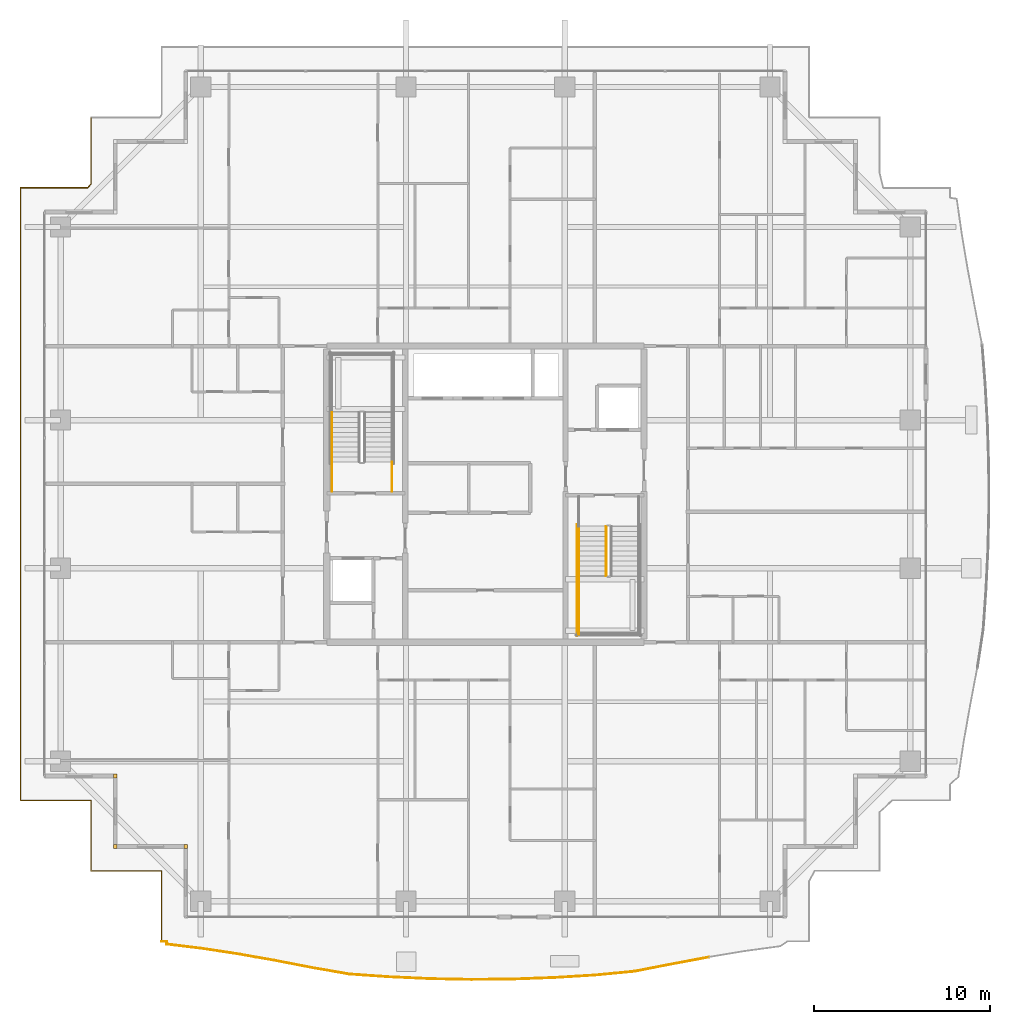
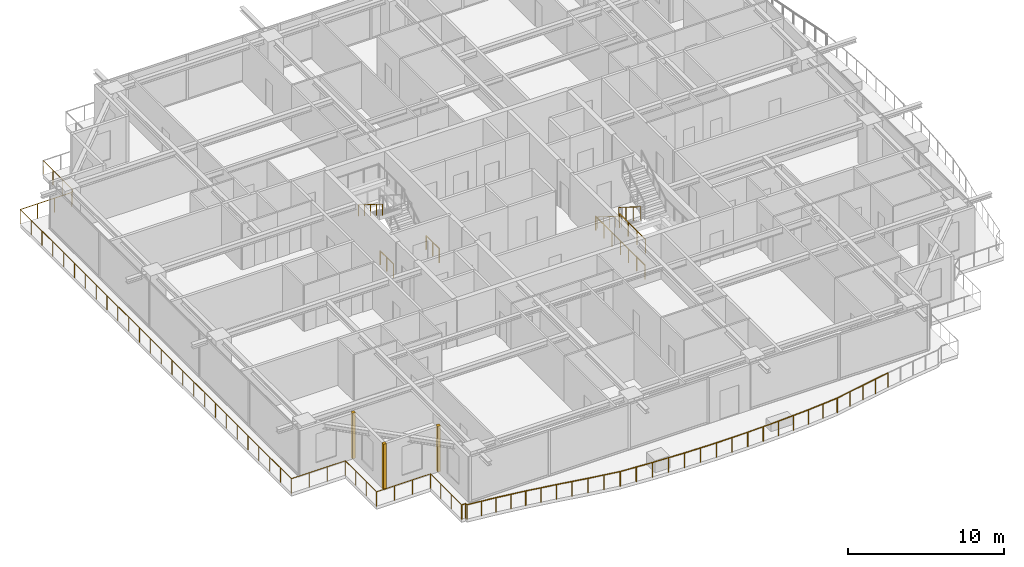
# One storey, part 34 of 38: 10 railings, 3 coverings.
"""IFC4 building model written with IfcOpenShell, lengths in metres."""

from ifc_helpers import new_model, si_unit, direction, frame, origin, origin_2d, place, context, subcontext, project, spatial, rectangle, circle, extrude, source, transform, mapped, material, layer, layer_set, type_object, element, save


model = new_model("IFC4")

# Units and contexts
model_context = context("Model", 3, precision=1e-05, world=origin(), true_north=direction((0.0, 1.0)))
body_context = subcontext(model_context, "Body", "Model", "MODEL_VIEW")
ifc_project = project(units=[si_unit("LENGTHUNIT", "METRE"), si_unit("AREAUNIT", "SQUARE_METRE"), si_unit("VOLUMEUNIT", "CUBIC_METRE"), si_unit("PLANEANGLEUNIT", "RADIAN"), si_unit("MASSUNIT", "GRAM", prefix="KILO")], contexts=[model_context])

# Site, building, storey
site_placement = place(None, origin())
site = spatial("IfcSite", under=ifc_project, at=site_placement, CompositionType="ELEMENT")
building_placement = place(site_placement, origin())
building = spatial("IfcBuilding", under=site, at=building_placement, Name="Serunith Strait Residences", CompositionType="ELEMENT")
storey_placement = place(building_placement, frame((0.0, 0.0, 245.10009765625)))
storey = spatial("IfcBuildingStorey", under=building, at=storey_placement, Name="L61", CompositionType="ELEMENT", Elevation=245.10009765625)

# Railings
ifc_material_1 = material(Name="Stainless Steel & Laminated Glass Balustrade", Category="steel")
railing_type_1 = type_object("IfcRailingType", Name="RLG-BALC-1150", PredefinedType="BALUSTRADE", material=ifc_material_1)
railing_1_placement = place(storey_placement, frame((14.02001953125, -0.179931640625, -0.050048828125)))
element("IfcRailing", 1, at=railing_1_placement, inside=storey, type_object=railing_type_1, Name="L61 Swirling Balcony Perimeter Balustrade 1", PredefinedType="BALUSTRADE", context=body_context, shape_type="SweptSolid", body=[
    extrude(circle(Radius=0.02392578125, at=origin_2d()), frame((0.0, 0.001953125, 1.1259765625), z_axis=(0.0, 1.0, 0.0), x_axis=(-1.0, 0.0, 0.0)), (0.0, 0.0, 1.0), 3.99609375),
    extrude(circle(Radius=0.02392578125, at=origin_2d()), frame((-0.001953125, 4.0, 1.1259765625), z_axis=(-1.0, 0.0, 0.0), x_axis=(0.0, -1.0, 0.0)), (0.0, 0.0, 1.0), 3.99609375),
    extrude(circle(Radius=0.02392578125, at=origin_2d()), frame((-4.0, 4.001953125, 1.1259765625), z_axis=(0.0, 1.0, 0.0), x_axis=(-1.0, 0.0, 0.0)), (0.0, 0.0, 1.0), 3.99609375),
    extrude(circle(Radius=0.02392578125, at=origin_2d()), frame((-4.001953125, 8.0, 1.1259765625), z_axis=(-1.0, 0.0, 0.0), x_axis=(0.0, -1.0, 0.0)), (0.0, 0.0, 1.0), 3.99609375),
    extrude(circle(Radius=0.02392578125, at=origin_2d()), frame((-8.0, 8.001953125, 1.1259765625), z_axis=(0.0, 1.0, 0.0), x_axis=(-1.0, 0.0, 0.0)), (0.0, 0.0, 1.0), 34.756103515625),
    extrude(circle(Radius=0.02392578125, at=origin_2d()), frame((-7.998046875, 42.760009765625, 1.1259765625), z_axis=(1.0, 0.0, 0.0), x_axis=(0.0, 1.0, 0.0)), (0.0, 0.0, 1.0), 3.801025390625),
    extrude(circle(Radius=0.02392578125, at=origin_2d()), frame((-4.19384765625, 42.761474609375, 1.1259765625), z_axis=(0.660199372359, 0.751090399843, 0.0), x_axis=(-0.751090399843, 0.660199372359, 0.0)), (0.0, 0.0, 1.0), 0.29150390625),
    extrude(circle(Radius=0.02392578125, at=origin_2d()), frame((-4.0, 42.98388671875, 1.1259765625), z_axis=(0.0, 1.0, 0.0), x_axis=(-1.0, 0.0, 0.0)), (0.0, 0.0, 1.0), 3.774169921875),
    extrude(circle(Radius=0.02099609375, at=origin_2d()), origin(), (0.0, 0.0, 1.0), 1.099853515625),
    extrude(circle(Radius=0.02099609375, at=origin_2d()), frame((0.0, 1.333251953125, 0.0)), (0.0, 0.0, 1.0), 1.099853515625),
    extrude(circle(Radius=0.02099609375, at=origin_2d()), frame((0.0, 2.666748046875, 0.0)), (0.0, 0.0, 1.0), 1.099853515625),
    extrude(circle(Radius=0.02099609375, at=origin_2d()), frame((0.0, 4.0, 0.0)), (0.0, 0.0, 1.0), 1.099853515625),
    extrude(circle(Radius=0.02099609375, at=origin_2d()), frame((-1.333251953125, 4.0, 0.0)), (0.0, 0.0, 1.0), 1.099853515625),
    extrude(circle(Radius=0.02099609375, at=origin_2d()), frame((-2.666748046875, 4.0, 0.0)), (0.0, 0.0, 1.0), 1.099853515625),
    extrude(circle(Radius=0.02099609375, at=origin_2d()), frame((-4.0, 4.0, 0.0)), (0.0, 0.0, 1.0), 1.099853515625),
    extrude(circle(Radius=0.02099609375, at=origin_2d()), frame((-4.0, 5.333251953125, 0.0)), (0.0, 0.0, 1.0), 1.099853515625),
    extrude(circle(Radius=0.02099609375, at=origin_2d()), frame((-4.0, 6.666748046875, 0.0)), (0.0, 0.0, 1.0), 1.099853515625),
    extrude(circle(Radius=0.02099609375, at=origin_2d()), frame((-4.0, 8.0, 0.0)), (0.0, 0.0, 1.0), 1.099853515625),
    extrude(circle(Radius=0.02099609375, at=origin_2d()), frame((-5.333251953125, 8.0, 0.0)), (0.0, 0.0, 1.0), 1.099853515625),
    extrude(circle(Radius=0.02099609375, at=origin_2d()), frame((-6.666748046875, 8.0, 0.0)), (0.0, 0.0, 1.0), 1.099853515625),
    extrude(circle(Radius=0.02099609375, at=origin_2d()), frame((-8.0, 8.0, 0.0)), (0.0, 0.0, 1.0), 1.099853515625),
    extrude(circle(Radius=0.02099609375, at=origin_2d()), frame((-8.0, 9.390380859375, 0.0)), (0.0, 0.0, 1.0), 1.099853515625),
    extrude(circle(Radius=0.02099609375, at=origin_2d()), frame((-8.0, 10.78076171875, 0.0)), (0.0, 0.0, 1.0), 1.099853515625),
    extrude(circle(Radius=0.02099609375, at=origin_2d()), frame((-8.0, 12.171142578125, 0.0)), (0.0, 0.0, 1.0), 1.099853515625),
    extrude(circle(Radius=0.02099609375, at=origin_2d()), frame((-8.0, 13.5615234375, 0.0)), (0.0, 0.0, 1.0), 1.099853515625),
    extrude(circle(Radius=0.02099609375, at=origin_2d()), frame((-8.0, 14.951904296875, 0.0)), (0.0, 0.0, 1.0), 1.099853515625),
    extrude(circle(Radius=0.02099609375, at=origin_2d()), frame((-8.0, 16.34228515625, 0.0)), (0.0, 0.0, 1.0), 1.099853515625),
    extrude(circle(Radius=0.02099609375, at=origin_2d()), frame((-8.0, 17.73291015625, 0.0)), (0.0, 0.0, 1.0), 1.099853515625),
    extrude(circle(Radius=0.02099609375, at=origin_2d()), frame((-8.0, 19.123291015625, 0.0)), (0.0, 0.0, 1.0), 1.099853515625),
    extrude(circle(Radius=0.02099609375, at=origin_2d()), frame((-8.0, 20.513671875, 0.0)), (0.0, 0.0, 1.0), 1.099853515625),
    extrude(circle(Radius=0.02099609375, at=origin_2d()), frame((-8.0, 21.904052734375, 0.0)), (0.0, 0.0, 1.0), 1.099853515625),
    extrude(circle(Radius=0.02099609375, at=origin_2d()), frame((-8.0, 23.29443359375, 0.0)), (0.0, 0.0, 1.0), 1.099853515625),
    extrude(circle(Radius=0.02099609375, at=origin_2d()), frame((-8.0, 24.684814453125, 0.0)), (0.0, 0.0, 1.0), 1.099853515625),
    extrude(circle(Radius=0.02099609375, at=origin_2d()), frame((-8.0, 26.0751953125, 0.0)), (0.0, 0.0, 1.0), 1.099853515625),
    extrude(circle(Radius=0.02099609375, at=origin_2d()), frame((-8.0, 27.465576171875, 0.0)), (0.0, 0.0, 1.0), 1.099853515625),
    extrude(circle(Radius=0.02099609375, at=origin_2d()), frame((-8.0, 28.85595703125, 0.0)), (0.0, 0.0, 1.0), 1.099853515625),
    extrude(circle(Radius=0.02099609375, at=origin_2d()), frame((-8.0, 30.246337890625, 0.0)), (0.0, 0.0, 1.0), 1.099853515625),
    extrude(circle(Radius=0.02099609375, at=origin_2d()), frame((-8.0, 31.63671875, 0.0)), (0.0, 0.0, 1.0), 1.099853515625),
    extrude(circle(Radius=0.02099609375, at=origin_2d()), frame((-8.0, 33.027099609375, 0.0)), (0.0, 0.0, 1.0), 1.099853515625),
    extrude(circle(Radius=0.02099609375, at=origin_2d()), frame((-8.0, 34.417724609375, 0.0)), (0.0, 0.0, 1.0), 1.099853515625),
    extrude(circle(Radius=0.02099609375, at=origin_2d()), frame((-8.0, 35.80810546875, 0.0)), (0.0, 0.0, 1.0), 1.099853515625),
    extrude(circle(Radius=0.02099609375, at=origin_2d()), frame((-8.0, 37.198486328125, 0.0)), (0.0, 0.0, 1.0), 1.099853515625),
    extrude(circle(Radius=0.02099609375, at=origin_2d()), frame((-8.0, 38.5888671875, 0.0)), (0.0, 0.0, 1.0), 1.099853515625),
    extrude(circle(Radius=0.02099609375, at=origin_2d()), frame((-8.0, 39.979248046875, 0.0)), (0.0, 0.0, 1.0), 1.099853515625),
    extrude(circle(Radius=0.02099609375, at=origin_2d()), frame((-8.0, 41.36962890625, 0.0)), (0.0, 0.0, 1.0), 1.099853515625),
    extrude(circle(Radius=0.02099609375, at=origin_2d()), frame((-8.0, 42.760009765625, 0.0)), (0.0, 0.0, 1.0), 1.099853515625),
    extrude(circle(Radius=0.02099609375, at=origin_2d()), frame((-6.731689453125, 42.760009765625, 0.0)), (0.0, 0.0, 1.0), 1.099853515625),
    extrude(circle(Radius=0.02099609375, at=origin_2d()), frame((-5.46337890625, 42.760009765625, 0.0)), (0.0, 0.0, 1.0), 1.099853515625),
    extrude(circle(Radius=0.02099609375, at=origin_2d()), frame((-4.195068359375, 42.760009765625, 0.0)), (0.0, 0.0, 1.0), 1.099853515625),
    extrude(circle(Radius=0.02099609375, at=origin_2d()), frame((-4.0, 42.98193359375, 0.0)), (0.0, 0.0, 1.0), 1.099853515625),
    extrude(circle(Radius=0.02099609375, at=origin_2d()), frame((-4.0, 44.2412109375, 0.0)), (0.0, 0.0, 1.0), 1.099853515625),
    extrude(circle(Radius=0.02099609375, at=origin_2d()), frame((-4.0, 45.500732421875, 0.0)), (0.0, 0.0, 1.0), 1.099853515625),
    extrude(circle(Radius=0.02099609375, at=origin_2d()), frame((-4.0, 46.760009765625, 0.0)), (0.0, 0.0, 1.0), 1.099853515625),
])
railing_2_placement = place(storey_placement, frame((45.0791015625, -1.070556640625, -0.050048828125)))
element("IfcRailing", 2, at=railing_2_placement, inside=storey, type_object=railing_type_1, Name="L61 Swirling Balcony Perimeter Balustrade 7", PredefinedType="BALUSTRADE", context=body_context, shape_type="SweptSolid", body=[
    extrude(circle(Radius=0.02392578125, at=origin_2d()), frame((-0.001953125, -0.00048828125, 1.1259765625), z_axis=(-0.982945249222, -0.183898442167, 0.0), x_axis=(0.183898442167, -0.982945249222, 0.0)), (0.0, 0.0, 1.0), 2.112060546875),
    extrude(circle(Radius=0.02392578125, at=origin_2d()), frame((-2.08203125, -0.3896484375, 1.1259765625), z_axis=(-0.981496759008, -0.191478750929, 0.0), x_axis=(0.191478750929, -0.981496759008, 0.0)), (0.0, 0.0, 1.0), 2.173828125),
    extrude(circle(Radius=0.02392578125, at=origin_2d()), frame((-4.219482421875, -0.806396484375, 1.1259765625), z_axis=(-0.995375984168, -0.096055453471, 0.0), x_axis=(0.096055453471, -0.995375984168, 0.0)), (0.0, 0.0, 1.0), 2.2607421875),
    extrude(circle(Radius=0.02392578125, at=origin_2d()), frame((-6.4736328125, -1.023681640625, 1.1259765625), z_axis=(-0.998171401112, -0.060447117407, 0.0), x_axis=(0.060447117407, -0.998171401112, 0.0)), (0.0, 0.0, 1.0), 2.30224609375),
    extrude(circle(Radius=0.02392578125, at=origin_2d()), frame((-8.775634765625, -1.1630859375, 1.1259765625), z_axis=(-0.999327546653, -0.036666803787, 0.0), x_axis=(0.036666803787, -0.999327546653, 0.0)), (0.0, 0.0, 1.0), 2.326416015625),
    extrude(circle(Radius=0.02392578125, at=origin_2d()), frame((-11.1044921875, -1.24853515625, 1.1259765625), z_axis=(-0.999953996814, -0.009591884862, 0.0), x_axis=(0.009591884862, -0.999953996814, 0.0)), (0.0, 0.0, 1.0), 2.337646484375),
    extrude(circle(Radius=0.02392578125, at=origin_2d()), frame((-13.446044921875, -1.27099609375, 1.1259765625), z_axis=(-0.999827321395, 0.018582986656, 0.0), x_axis=(-0.018582986656, -0.999827321395, 0.0)), (0.0, 0.0, 1.0), 2.33447265625),
    extrude(circle(Radius=0.02392578125, at=origin_2d()), frame((-15.7841796875, -1.2275390625, 1.1259765625), z_axis=(-0.998976334077, 0.045235870225, 0.0), x_axis=(-0.045235870225, -0.998976334077, 0.0)), (0.0, 0.0, 1.0), 2.316650390625),
    extrude(circle(Radius=0.02099609375, at=origin_2d()), origin(), (0.0, 0.0, 1.0), 1.099853515625),
    extrude(circle(Radius=0.02099609375, at=origin_2d()), frame((-1.0400390625, -0.194580078125, 0.0)), (0.0, 0.0, 1.0), 1.099853515625),
    extrude(circle(Radius=0.02099609375, at=origin_2d()), frame((-2.080078125, -0.38916015625, 0.0)), (0.0, 0.0, 1.0), 1.099853515625),
    extrude(circle(Radius=0.02099609375, at=origin_2d()), frame((-3.14892578125, -0.59765625, 0.0)), (0.0, 0.0, 1.0), 1.099853515625),
    extrude(circle(Radius=0.02099609375, at=origin_2d()), frame((-4.217529296875, -0.80615234375, 0.0)), (0.0, 0.0, 1.0), 1.099853515625),
    extrude(circle(Radius=0.02099609375, at=origin_2d()), frame((-5.3447265625, -0.9150390625, 0.0)), (0.0, 0.0, 1.0), 1.099853515625),
    extrude(circle(Radius=0.02099609375, at=origin_2d()), frame((-6.4716796875, -1.023681640625, 0.0)), (0.0, 0.0, 1.0), 1.099853515625),
    extrude(circle(Radius=0.02099609375, at=origin_2d()), frame((-7.62255859375, -1.09326171875, 0.0)), (0.0, 0.0, 1.0), 1.099853515625),
    extrude(circle(Radius=0.02099609375, at=origin_2d()), frame((-8.773681640625, -1.1630859375, 0.0)), (0.0, 0.0, 1.0), 1.099853515625),
    extrude(circle(Radius=0.02099609375, at=origin_2d()), frame((-9.93798828125, -1.205810546875, 0.0)), (0.0, 0.0, 1.0), 1.099853515625),
    extrude(circle(Radius=0.02099609375, at=origin_2d()), frame((-11.1025390625, -1.24853515625, 0.0)), (0.0, 0.0, 1.0), 1.099853515625),
    extrude(circle(Radius=0.02099609375, at=origin_2d()), frame((-12.2734375, -1.259765625, 0.0)), (0.0, 0.0, 1.0), 1.099853515625),
    extrude(circle(Radius=0.02099609375, at=origin_2d()), frame((-13.444091796875, -1.27099609375, 0.0)), (0.0, 0.0, 1.0), 1.099853515625),
    extrude(circle(Radius=0.02099609375, at=origin_2d()), frame((-14.61328125, -1.249267578125, 0.0)), (0.0, 0.0, 1.0), 1.099853515625),
    extrude(circle(Radius=0.02099609375, at=origin_2d()), frame((-15.7822265625, -1.2275390625, 0.0)), (0.0, 0.0, 1.0), 1.099853515625),
    extrude(circle(Radius=0.02099609375, at=origin_2d()), frame((-16.94140625, -1.175048828125, 0.0)), (0.0, 0.0, 1.0), 1.099853515625),
    extrude(circle(Radius=0.02099609375, at=origin_2d()), frame((-18.1005859375, -1.12255859375, 0.0)), (0.0, 0.0, 1.0), 1.099853515625),
])
railing_3_placement = place(storey_placement, frame((26.978515625, -2.193115234375, -0.050048828125)))
element("IfcRailing", 3, at=railing_3_placement, inside=storey, type_object=railing_type_1, Name="L61 Swirling Balcony Perimeter Balustrade 8", PredefinedType="BALUSTRADE", context=body_context, shape_type="SweptSolid", body=[
    extrude(circle(Radius=0.02392578125, at=origin_2d()), frame((-0.001953125, 0.000244140625, 1.1259765625), z_axis=(-0.997665250853, 0.068293830179, 0.0), x_axis=(-0.068293830179, -0.997665250853, 0.0)), (0.0, 0.0, 1.0), 2.28759765625),
    extrude(circle(Radius=0.02392578125, at=origin_2d()), frame((-2.2880859375, 0.15673828125, 1.1259765625), z_axis=(-0.985372625821, 0.170413580099, 0.0), x_axis=(-0.170413580099, -0.985372625821, 0.0)), (0.0, 0.0, 1.0), 2.20654296875),
    extrude(circle(Radius=0.02392578125, at=origin_2d()), frame((-4.46630859375, 0.53369140625, 1.1259765625), z_axis=(-0.98167532239, 0.190561174984, 0.0), x_axis=(-0.190561174984, -0.98167532239, 0.0)), (0.0, 0.0, 1.0), 2.135498046875),
    extrude(circle(Radius=0.02392578125, at=origin_2d()), frame((-6.566650390625, 0.941162109375, 1.1259765625), z_axis=(-0.984615797337, 0.174733315752, 0.0), x_axis=(-0.174733315752, -0.984615797337, 0.0)), (0.0, 0.0, 1.0), 2.08203125),
    extrude(circle(Radius=0.02392578125, at=origin_2d()), frame((-8.62060546875, 1.3056640625, 1.1259765625), z_axis=(-0.988726719988, 0.149731336673, 0.0), x_axis=(-0.149731336673, -0.988726719988, 0.0)), (0.0, 0.0, 1.0), 2.047119140625),
    extrude(circle(Radius=0.02392578125, at=origin_2d()), frame((-10.648681640625, 1.61279296875, 1.1259765625), z_axis=(-0.992541670722, 0.121905832016, 0.0), x_axis=(-0.121905832016, -0.992541670722, 0.0)), (0.0, 0.0, 1.0), 2.02880859375),
    extrude(circle(Radius=0.02392578125, at=origin_2d()), frame((-12.664306640625, 1.8623046875, 1.1259765625), z_axis=(0.009584224316, 0.999954070267, 0.0), x_axis=(-0.999954070267, 0.009584224316, 0.0)), (0.0, 0.0, 1.0), 0.14892578125),
    extrude(circle(Radius=0.02392578125, at=origin_2d()), frame((-12.664794921875, 2.01318359375, 1.1259765625), z_axis=(-1.0, 0.0, 0.0), x_axis=(0.0, -1.0, 0.0)), (0.0, 0.0, 1.0), 0.291748046875),
    extrude(circle(Radius=0.02099609375, at=origin_2d()), origin(), (0.0, 0.0, 1.0), 1.099853515625),
    extrude(circle(Radius=0.02099609375, at=origin_2d()), frame((-1.14306640625, 0.078125, 0.0)), (0.0, 0.0, 1.0), 1.099853515625),
    extrude(circle(Radius=0.02099609375, at=origin_2d()), frame((-2.2861328125, 0.156494140625, 0.0)), (0.0, 0.0, 1.0), 1.099853515625),
    extrude(circle(Radius=0.02099609375, at=origin_2d()), frame((-3.375244140625, 0.3447265625, 0.0)), (0.0, 0.0, 1.0), 1.099853515625),
    extrude(circle(Radius=0.02099609375, at=origin_2d()), frame((-4.46435546875, 0.533203125, 0.0)), (0.0, 0.0, 1.0), 1.099853515625),
    extrude(circle(Radius=0.02099609375, at=origin_2d()), frame((-5.5146484375, 0.737060546875, 0.0)), (0.0, 0.0, 1.0), 1.099853515625),
    extrude(circle(Radius=0.02099609375, at=origin_2d()), frame((-6.564697265625, 0.94091796875, 0.0)), (0.0, 0.0, 1.0), 1.099853515625),
    extrude(circle(Radius=0.02099609375, at=origin_2d()), frame((-7.591796875, 1.123046875, 0.0)), (0.0, 0.0, 1.0), 1.099853515625),
    extrude(circle(Radius=0.02099609375, at=origin_2d()), frame((-8.61865234375, 1.305419921875, 0.0)), (0.0, 0.0, 1.0), 1.099853515625),
    extrude(circle(Radius=0.02099609375, at=origin_2d()), frame((-9.6328125, 1.458984375, 0.0)), (0.0, 0.0, 1.0), 1.099853515625),
    extrude(circle(Radius=0.02099609375, at=origin_2d()), frame((-10.646728515625, 1.612548828125, 0.0)), (0.0, 0.0, 1.0), 1.099853515625),
    extrude(circle(Radius=0.02099609375, at=origin_2d()), frame((-11.655517578125, 1.736328125, 0.0)), (0.0, 0.0, 1.0), 1.099853515625),
    extrude(circle(Radius=0.02099609375, at=origin_2d()), frame((-12.664306640625, 1.8603515625, 0.0)), (0.0, 0.0, 1.0), 1.099853515625),
    extrude(circle(Radius=0.02099609375, at=origin_2d()), frame((-12.662841796875, 2.01318359375, 0.0)), (0.0, 0.0, 1.0), 1.099853515625),
    extrude(circle(Radius=0.02099609375, at=origin_2d()), frame((-12.95849609375, 2.01318359375, 0.0)), (0.0, 0.0, 1.0), 1.099853515625),
])
ifc_material_2 = material(Name="Brushed stainless steel 316L", Category="steel")
railing_type_2 = type_object("IfcRailingType", Name="RLG-STAIR-GUARD", PredefinedType="BALUSTRADE", material=ifc_material_2)
for number, where, name in (
    (4, (27.10009765625, 25.35009765625, 0.0), "L61 ST-1 stair guard 8"),
    (5, (23.699951171875, 25.35009765625, 0.0), "L61 ST-1 stair guard 9"),
):
    element("IfcRailing", number, at=place(storey_placement, frame(where)), inside=storey, type_object=railing_type_2, Name=name, PredefinedType="BALUSTRADE", context=body_context, shape_type="SweptSolid", body=[
        extrude(circle(Radius=0.02392578125, at=origin_2d()), frame((0.0, 0.001953125, 1.076171875), z_axis=(0.0, 1.0, 0.0), x_axis=(-1.0, 0.0, 0.0)), (0.0, 0.0, 1.0), 1.676025390625),
        extrude(circle(Radius=0.02099609375, at=origin_2d()), origin(), (0.0, 0.0, 1.0), 1.050048828125),
        extrude(circle(Radius=0.02099609375, at=origin_2d()), frame((0.0, 0.83984375, 0.0)), (0.0, 0.0, 1.0), 1.050048828125),
        extrude(circle(Radius=0.02099609375, at=origin_2d()), frame((0.0, 1.679931640625, 0.0)), (0.0, 0.0, 1.0), 1.050048828125),
    ])
railing_4_placement = place(storey_placement, frame((39.25, 23.3701171875, 0.1748046875)))
element("IfcRailing", 6, at=railing_4_placement, inside=storey, type_object=railing_type_2, Name="L61 ST-2 stair guard 1", PredefinedType="BALUSTRADE", context=body_context, shape_type="SweptSolid", body=[
    extrude(circle(Radius=0.02392578125, at=origin_2d()), frame((0.0, -0.001708984375, 1.0771484375), z_axis=(0.0, -0.848002457836, 0.529992293815), x_axis=(1.0, 0.0, 0.0)), (0.0, 0.0, 1.0), 3.2978515625),
    extrude(circle(Radius=0.02099609375, at=origin_2d()), origin(), (0.0, 0.0, 1.0), 1.050048828125),
    extrude(circle(Radius=0.02099609375, at=origin_2d()), frame((0.0, -0.933349609375, 0.583251953125)), (0.0, 0.0, 1.0), 1.050048828125),
    extrude(circle(Radius=0.02099609375, at=origin_2d()), frame((0.0, -1.86669921875, 1.166748046875)), (0.0, 0.0, 1.0), 1.050048828125),
    extrude(circle(Radius=0.02099609375, at=origin_2d()), frame((0.0, -2.800048828125, 1.75)), (0.0, 0.0, 1.0), 1.050048828125),
])
railing_5_placement = place(storey_placement, frame((37.699951171875, 20.570068359375, 1.9248046875)))
element("IfcRailing", 7, at=railing_5_placement, inside=storey, type_object=railing_type_2, Name="L61 ST-2 stair guard 3", PredefinedType="BALUSTRADE", context=body_context, shape_type="SweptSolid", body=[
    extrude(circle(Radius=0.02392578125, at=origin_2d()), frame((0.0, -0.001953125, 1.076171875), z_axis=(0.0, -1.0, 0.0), x_axis=(1.0, 0.0, 0.0)), (0.0, 0.0, 1.0), 3.316162109375),
    extrude(circle(Radius=0.02099609375, at=origin_2d()), origin(), (0.0, 0.0, 1.0), 1.050048828125),
    extrude(circle(Radius=0.02099609375, at=origin_2d()), frame((0.0, -1.106689453125, 0.0)), (0.0, 0.0, 1.0), 1.050048828125),
    extrude(circle(Radius=0.02099609375, at=origin_2d()), frame((0.0, -2.21337890625, 0.0)), (0.0, 0.0, 1.0), 1.050048828125),
    extrude(circle(Radius=0.02099609375, at=origin_2d()), frame((0.0, -3.320068359375, 0.0)), (0.0, 0.0, 1.0), 1.050048828125),
])
railing_6_placement = place(storey_placement, frame((37.60009765625, 23.469970703125, 0.0)))
element("IfcRailing", 8, at=railing_6_placement, inside=storey, type_object=railing_type_2, Name="L61 ST-2 stair guard 10", PredefinedType="BALUSTRADE", context=body_context, shape_type="SweptSolid", body=[
    extrude(circle(Radius=0.02392578125, at=origin_2d()), frame((0.0, -0.001953125, 1.076171875), z_axis=(0.0, -1.0, 0.0), x_axis=(1.0, 0.0, 0.0)), (0.0, 0.0, 1.0), 6.316162109375),
    extrude(circle(Radius=0.02099609375, at=origin_2d()), origin(), (0.0, 0.0, 1.0), 1.050048828125),
    extrude(circle(Radius=0.02099609375, at=origin_2d()), frame((0.0, -1.05322265625, 0.0)), (0.0, 0.0, 1.0), 1.050048828125),
    extrude(circle(Radius=0.02099609375, at=origin_2d()), frame((0.0, -2.106689453125, 0.0)), (0.0, 0.0, 1.0), 1.050048828125),
    extrude(circle(Radius=0.02099609375, at=origin_2d()), frame((0.0, -3.16015625, 0.0)), (0.0, 0.0, 1.0), 1.050048828125),
    extrude(circle(Radius=0.02099609375, at=origin_2d()), frame((0.0, -4.21337890625, 0.0)), (0.0, 0.0, 1.0), 1.050048828125),
    extrude(circle(Radius=0.02099609375, at=origin_2d()), frame((0.0, -5.2666015625, 0.0)), (0.0, 0.0, 1.0), 1.050048828125),
    extrude(circle(Radius=0.02099609375, at=origin_2d()), frame((0.0, -6.320068359375, 0.0)), (0.0, 0.0, 1.0), 1.050048828125),
])
railing_type_3 = type_object("IfcRailingType", Name="RLG-STAIR-HR", PredefinedType="HANDRAIL", material=ifc_material_2)
railing_7_placement = place(storey_placement, frame((23.699951171875, 29.830078125, 2.099853515625)))
element("IfcRailing", 9, at=railing_7_placement, inside=storey, type_object=railing_type_3, Name="L61 ST-1 stair handrail 2", PredefinedType="HANDRAIL", context=body_context, shape_type="SweptSolid", body=[
    extrude(circle(Radius=0.02392578125, at=origin_2d()), frame((0.0, -0.001708984375, 0.876953125), z_axis=(0.0, -0.847393994688, 0.530964610654), x_axis=(1.0, 0.0, 0.0)), (0.0, 0.0, 1.0), 3.630859375),
    extrude(circle(Radius=0.02099609375, at=origin_2d()), origin(), (0.0, 0.0, 1.0), 0.849853515625),
    extrude(circle(Radius=0.02099609375, at=origin_2d()), frame((0.0, -0.77001953125, 0.482421875)), (0.0, 0.0, 1.0), 0.849853515625),
    extrude(circle(Radius=0.02099609375, at=origin_2d()), frame((0.0, -1.5400390625, 0.96484375)), (0.0, 0.0, 1.0), 0.849853515625),
    extrude(circle(Radius=0.02099609375, at=origin_2d()), frame((0.0, -2.31005859375, 1.447509765625)), (0.0, 0.0, 1.0), 0.849853515625),
    extrude(circle(Radius=0.02099609375, at=origin_2d()), frame((0.0, -3.080078125, 1.929931640625)), (0.0, 0.0, 1.0), 0.849853515625),
])
railing_8_placement = place(storey_placement, frame((37.699951171875, 23.3701171875, 0.1748046875)))
element("IfcRailing", 10, at=railing_8_placement, inside=storey, type_object=railing_type_3, Name="L61 ST-2 stair handrail 1", PredefinedType="HANDRAIL", context=body_context, shape_type="SweptSolid", body=[
    extrude(circle(Radius=0.02392578125, at=origin_2d()), frame((0.0, -0.001708984375, 0.876953125), z_axis=(0.0, -0.847363772988, 0.531012839984), x_axis=(1.0, 0.0, 0.0)), (0.0, 0.0, 1.0), 3.630859375),
    extrude(circle(Radius=0.02099609375, at=origin_2d()), origin(), (0.0, 0.0, 1.0), 0.849853515625),
    extrude(circle(Radius=0.02099609375, at=origin_2d()), frame((0.0, -0.77001953125, 0.482421875)), (0.0, 0.0, 1.0), 0.849853515625),
    extrude(circle(Radius=0.02099609375, at=origin_2d()), frame((0.0, -1.5400390625, 0.965087890625)), (0.0, 0.0, 1.0), 0.849853515625),
    extrude(circle(Radius=0.02099609375, at=origin_2d()), frame((0.0, -2.31005859375, 1.44775390625)), (0.0, 0.0, 1.0), 0.849853515625),
    extrude(circle(Radius=0.02099609375, at=origin_2d()), frame((0.0, -3.080078125, 1.93017578125)), (0.0, 0.0, 1.0), 0.849853515625),
])

# Coverings
ifc_material_3 = material(Name="Pale-Champagne Anodised Aluminium", Category="aluminium")
ifc_layer = layer(ifc_material_3, 0.219970703125, Name="Pale-Champagne Anodised Aluminium")
ifc_layer_set = layer_set([ifc_layer], Name="Pale-Champagne Anodised Aluminium")
covering_type = type_object("IfcCoveringType", Name="COV-CORN-TRIM", PredefinedType="CLADDING", material=ifc_layer_set)
shared_shape = source(origin(), body_context, "Body", "SweptSolid", [
    extrude(rectangle(XDim=0.221923828125, YDim=0.221923828125, at=origin_2d()), origin(), (0.0, 0.0, 1.0), 3.574951171875),
])
for number, where, z_axis, x_axis, name in (
    (11, (11.39990234375, 9.199951171875, 0.0), (0.0, 0.0, 1.0), (1.0, 0.0, 0.0), "L61 Girih Serrated Corner Trim Post 17"),
    (12, (11.39990234375, 5.199951171875, 0.0), (0.0, 0.0, 1.0), (1.0, 0.0, 0.0), "L61 Girih Serrated Corner Trim Post 18"),
    (13, (15.39990234375, 5.199951171875, 0.0), (0.0, 0.0, 1.0), (1.0, 0.0, 0.0), "L61 Girih Serrated Corner Trim Post 19"),
):
    element("IfcCovering", number, at=place(storey_placement, frame(where, z_axis=z_axis, x_axis=x_axis)), inside=storey, type_object=covering_type, Name=name, PredefinedType="CLADDING", context=body_context, shape_type="MappedRepresentation", body=[
        mapped(shared_shape, transform((0.0, 0.0, 0.0), scale=1.0)),
    ])

save(model, "model.ifc")
